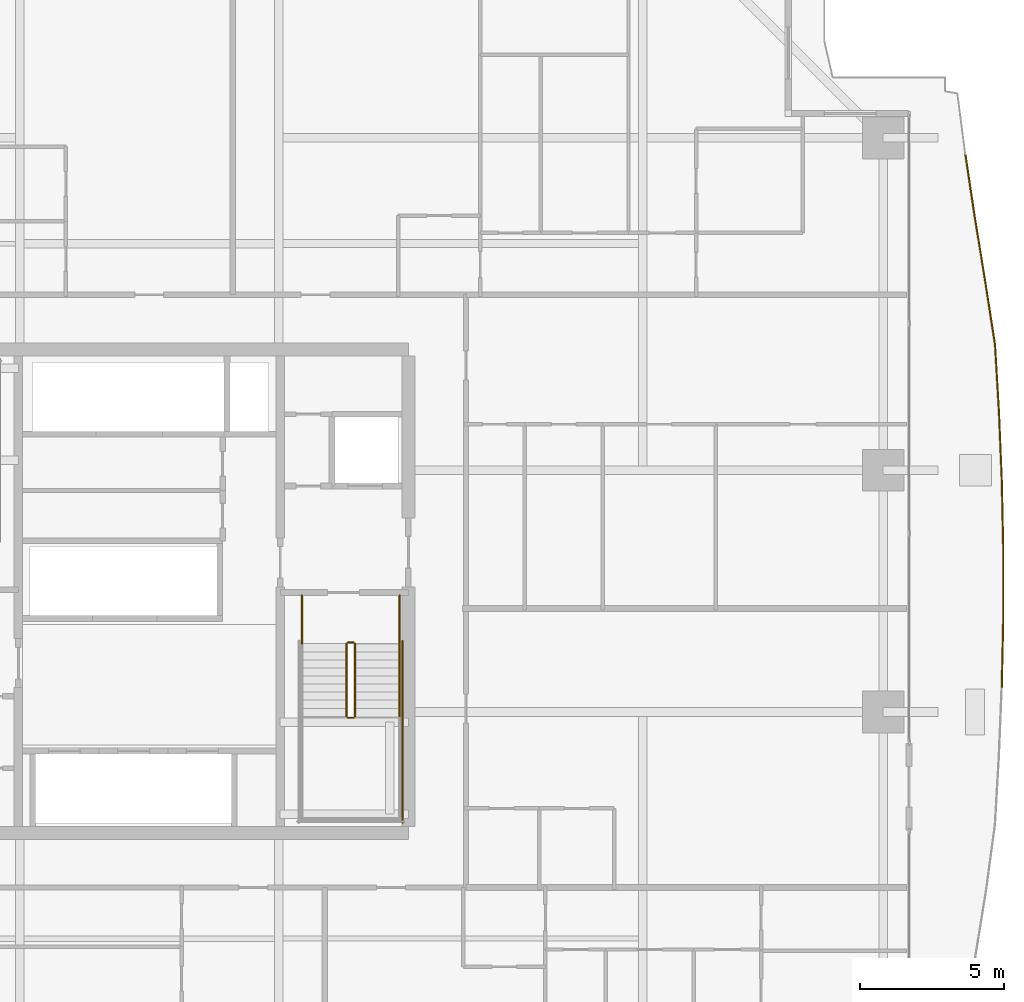
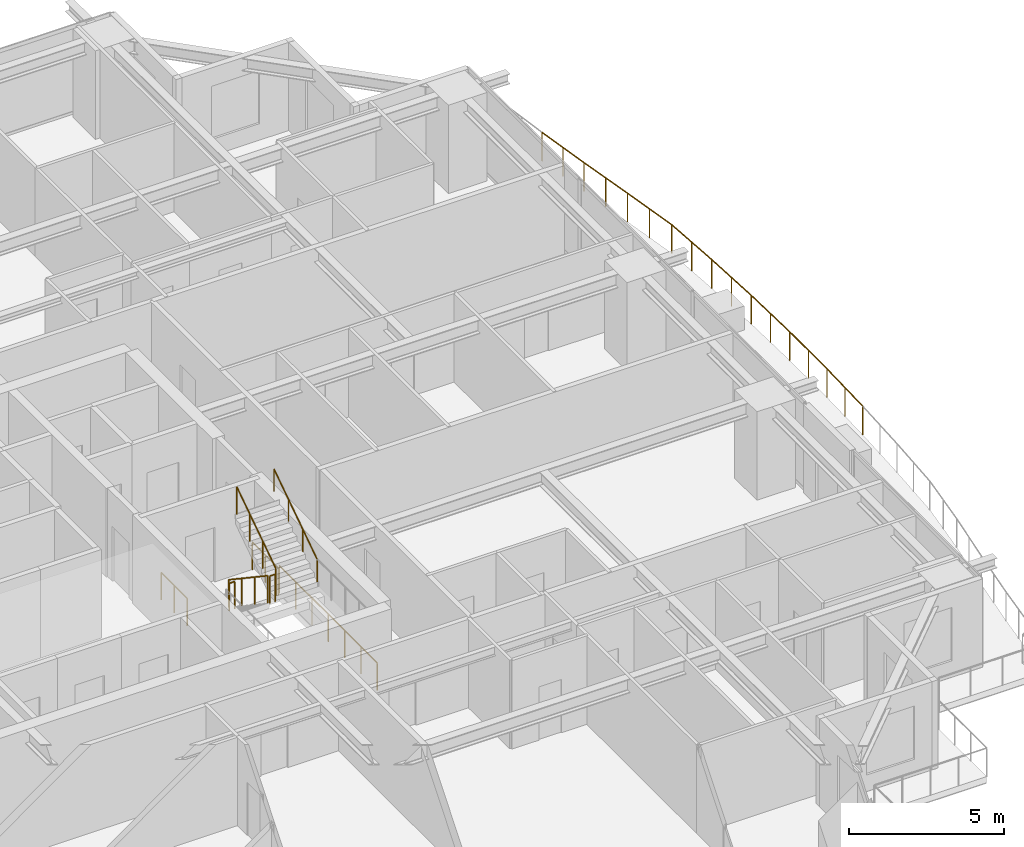
# One storey, part 37 of 38: 9 railings.
"""IFC4 building model written with IfcOpenShell, lengths in metres."""

from ifc_helpers import new_model, si_unit, direction, frame, origin, origin_2d, place, context, subcontext, project, spatial, circle, extrude, material, type_object, element, save


model = new_model("IFC4")

# Units and contexts
model_context = context("Model", 3, precision=1e-05, world=origin(), true_north=direction((0.0, 1.0)))
body_context = subcontext(model_context, "Body", "Model", "MODEL_VIEW")
ifc_project = project(units=[si_unit("LENGTHUNIT", "METRE"), si_unit("AREAUNIT", "SQUARE_METRE"), si_unit("VOLUMEUNIT", "CUBIC_METRE"), si_unit("PLANEANGLEUNIT", "RADIAN"), si_unit("MASSUNIT", "GRAM", prefix="KILO")], contexts=[model_context])

# Site, building, storey
site_placement = place(None, origin())
site = spatial("IfcSite", under=ifc_project, at=site_placement, CompositionType="ELEMENT")
building_placement = place(site_placement, origin())
building = spatial("IfcBuilding", under=site, at=building_placement, Name="Serunith Strait Residences", CompositionType="ELEMENT")
storey_placement = place(building_placement, frame((0.0, 0.0, 37.949951171875)))
storey = spatial("IfcBuildingStorey", under=building, at=storey_placement, Name="L08", CompositionType="ELEMENT", Elevation=37.949951171875)

# Railings
ifc_material_1 = material(Name="Stainless Steel & Laminated Glass Balustrade", Category="steel")
railing_type_1 = type_object("IfcRailingType", Name="RLG-BALC-1150", PredefinedType="BALUSTRADE", material=ifc_material_1)
railing_1_placement = place(storey_placement, frame((60.758544921875, 40.372802734375, -0.050048828125)))
element("IfcRailing", 1, at=railing_1_placement, inside=storey, type_object=railing_type_1, Name="L08 Swirling Balcony Perimeter Balustrade 5", PredefinedType="BALUSTRADE", context=body_context, shape_type="SweptSolid", body=[
    extrude(circle(Radius=0.02392578125, at=origin_2d()), frame((0.000244140625, -0.001953125, 1.1259765625), z_axis=(0.147945831213, -0.988995465625, 0.0), x_axis=(0.988995465625, 0.147945831213, 0.0)), (0.0, 0.0, 1.0), 2.17431640625),
    extrude(circle(Radius=0.02392578125, at=origin_2d()), frame((0.322509765625, -2.15625, 1.1259765625), z_axis=(0.160496406928, -0.987036424537, 0.0), x_axis=(0.987036424537, 0.160496406928, 0.0)), (0.0, 0.0, 1.0), 2.218505859375),
    extrude(circle(Radius=0.02392578125, at=origin_2d()), frame((0.67919921875, -4.349853515625, 1.1259765625), z_axis=(0.153295876879, -0.988180334824, 0.0), x_axis=(0.988180334824, 0.153295876879, 0.0)), (0.0, 0.0, 1.0), 2.276611328125),
    extrude(circle(Radius=0.02392578125, at=origin_2d()), frame((1.028564453125, -6.603515625, 1.1259765625), z_axis=(0.058582471321, -0.998282572248, 0.0), x_axis=(0.998282572248, 0.058582471321, 0.0)), (0.0, 0.0, 1.0), 2.354736328125),
    extrude(circle(Radius=0.02392578125, at=origin_2d()), frame((1.166748046875, -8.958251953125, 1.1259765625), z_axis=(0.041260049386, -0.999148441586, 0.0), x_axis=(0.999148441586, 0.041260049386, 0.0)), (0.0, 0.0, 1.0), 2.380615234375),
    extrude(circle(Radius=0.02392578125, at=origin_2d()), frame((1.26513671875, -11.3408203125, 1.1259765625), z_axis=(0.021044758659, -0.999778534543, 0.0), x_axis=(0.999778534543, 0.021044758659, 0.0)), (0.0, 0.0, 1.0), 2.3974609375),
    extrude(circle(Radius=0.02392578125, at=origin_2d()), frame((1.315673828125, -13.74169921875, 1.1259765625), z_axis=(-0.000304259621, -0.999999953713, 0.0), x_axis=(0.999999953713, -0.000304259621, 0.0)), (0.0, 0.0, 1.0), 2.4033203125),
    extrude(circle(Radius=0.02392578125, at=origin_2d()), frame((1.31494140625, -16.14892578125, 1.1259765625), z_axis=(-0.021548472407, -0.999767804711, 0.0), x_axis=(0.999767804711, -0.021548472407, 0.0)), (0.0, 0.0, 1.0), 2.39794921875),
    extrude(circle(Radius=0.02099609375, at=origin_2d()), origin(), (0.0, 0.0, 1.0), 1.099853515625),
    extrude(circle(Radius=0.02099609375, at=origin_2d()), frame((0.1611328125, -1.0771484375, 0.0)), (0.0, 0.0, 1.0), 1.099853515625),
    extrude(circle(Radius=0.02099609375, at=origin_2d()), frame((0.322265625, -2.154296875, 0.0)), (0.0, 0.0, 1.0), 1.099853515625),
    extrude(circle(Radius=0.02099609375, at=origin_2d()), frame((0.50048828125, -3.2509765625, 0.0)), (0.0, 0.0, 1.0), 1.099853515625),
    extrude(circle(Radius=0.02099609375, at=origin_2d()), frame((0.678955078125, -4.347900390625, 0.0)), (0.0, 0.0, 1.0), 1.099853515625),
    extrude(circle(Radius=0.02099609375, at=origin_2d()), frame((0.853759765625, -5.474609375, 0.0)), (0.0, 0.0, 1.0), 1.099853515625),
    extrude(circle(Radius=0.02099609375, at=origin_2d()), frame((1.028564453125, -6.6015625, 0.0)), (0.0, 0.0, 1.0), 1.099853515625),
    extrude(circle(Radius=0.02099609375, at=origin_2d()), frame((1.09765625, -7.77880859375, 0.0)), (0.0, 0.0, 1.0), 1.099853515625),
    extrude(circle(Radius=0.02099609375, at=origin_2d()), frame((1.166748046875, -8.956298828125, 0.0)), (0.0, 0.0, 1.0), 1.099853515625),
    extrude(circle(Radius=0.02099609375, at=origin_2d()), frame((1.2158203125, -10.1474609375, 0.0)), (0.0, 0.0, 1.0), 1.099853515625),
    extrude(circle(Radius=0.02099609375, at=origin_2d()), frame((1.26513671875, -11.3388671875, 0.0)), (0.0, 0.0, 1.0), 1.099853515625),
    extrude(circle(Radius=0.02099609375, at=origin_2d()), frame((1.29052734375, -12.539306640625, 0.0)), (0.0, 0.0, 1.0), 1.099853515625),
    extrude(circle(Radius=0.02099609375, at=origin_2d()), frame((1.315673828125, -13.73974609375, 0.0)), (0.0, 0.0, 1.0), 1.099853515625),
    extrude(circle(Radius=0.02099609375, at=origin_2d()), frame((1.3154296875, -14.943359375, 0.0)), (0.0, 0.0, 1.0), 1.099853515625),
    extrude(circle(Radius=0.02099609375, at=origin_2d()), frame((1.31494140625, -16.14697265625, 0.0)), (0.0, 0.0, 1.0), 1.099853515625),
    extrude(circle(Radius=0.02099609375, at=origin_2d()), frame((1.2890625, -17.34765625, 0.0)), (0.0, 0.0, 1.0), 1.099853515625),
    extrude(circle(Radius=0.02099609375, at=origin_2d()), frame((1.26318359375, -18.54833984375, 0.0)), (0.0, 0.0, 1.0), 1.099853515625),
])
ifc_material_2 = material(Name="Brushed stainless steel 316L", Category="steel")
railing_type_2 = type_object("IfcRailingType", Name="RLG-STAIR-GUARD", PredefinedType="BALUSTRADE", material=ifc_material_2)
railing_2_placement = place(storey_placement, frame((39.25, 23.3701171875, 0.1875)))
element("IfcRailing", 2, at=railing_2_placement, inside=storey, type_object=railing_type_2, Name="L08 ST-2 stair guard 1", PredefinedType="BALUSTRADE", context=body_context, shape_type="SweptSolid", body=[
    extrude(circle(Radius=0.02392578125, at=origin_2d()), frame((0.0, -0.001708984375, 1.0771484375), z_axis=(0.0, -0.830909170722, 0.55640807867), x_axis=(1.0, 0.0, 0.0)), (0.0, 0.0, 1.0), 3.02880859375),
    extrude(circle(Radius=0.02099609375, at=origin_2d()), origin(), (0.0, 0.0, 1.0), 1.050048828125),
    extrude(circle(Radius=0.02099609375, at=origin_2d()), frame((0.0, -0.840087890625, 0.5625)), (0.0, 0.0, 1.0), 1.050048828125),
    extrude(circle(Radius=0.02099609375, at=origin_2d()), frame((0.0, -1.679931640625, 1.125)), (0.0, 0.0, 1.0), 1.050048828125),
    extrude(circle(Radius=0.02099609375, at=origin_2d()), frame((0.0, -2.52001953125, 1.6875)), (0.0, 0.0, 1.0), 1.050048828125),
])
railing_3_placement = place(storey_placement, frame((39.300048828125, 20.800048828125, 1.875)))
element("IfcRailing", 3, at=railing_3_placement, inside=storey, type_object=railing_type_2, Name="L08 ST-2 stair guard 2", PredefinedType="BALUSTRADE", context=body_context, shape_type="SweptSolid", body=[
    extrude(circle(Radius=0.02392578125, at=origin_2d()), frame((0.001953125, 0.0, 1.076171875), z_axis=(1.0, 0.0, 0.0), x_axis=(0.0, 1.0, 0.0)), (0.0, 0.0, 1.0), 0.196044921875),
    extrude(circle(Radius=0.02099609375, at=origin_2d()), origin(), (0.0, 0.0, 1.0), 1.050048828125),
    extrude(circle(Radius=0.02099609375, at=origin_2d()), frame((0.199951171875, 0.0, 0.0)), (0.0, 0.0, 1.0), 1.050048828125),
])
railing_4_placement = place(storey_placement, frame((39.550048828125, 20.85009765625, 2.0625)))
element("IfcRailing", 4, at=railing_4_placement, inside=storey, type_object=railing_type_2, Name="L08 ST-2 stair guard 6", PredefinedType="BALUSTRADE", context=body_context, shape_type="SweptSolid", body=[
    extrude(circle(Radius=0.02392578125, at=origin_2d()), frame((0.0, 0.001708984375, 1.0771484375), z_axis=(0.0, 0.830909170722, 0.55640807867), x_axis=(-1.0, 0.0, 0.0)), (0.0, 0.0, 1.0), 3.02880859375),
    extrude(circle(Radius=0.02099609375, at=origin_2d()), origin(), (0.0, 0.0, 1.0), 1.050048828125),
    extrude(circle(Radius=0.02099609375, at=origin_2d()), frame((0.0, 0.840087890625, 0.5625)), (0.0, 0.0, 1.0), 1.050048828125),
    extrude(circle(Radius=0.02099609375, at=origin_2d()), frame((0.0, 1.679931640625, 1.125)), (0.0, 0.0, 1.0), 1.050048828125),
    extrude(circle(Radius=0.02099609375, at=origin_2d()), frame((0.0, 2.52001953125, 1.6875)), (0.0, 0.0, 1.0), 1.050048828125),
])
railing_5_placement = place(storey_placement, frame((39.300048828125, 23.419921875, 0.0)))
element("IfcRailing", 5, at=railing_5_placement, inside=storey, type_object=railing_type_2, Name="L08 ST-2 stair guard 7", PredefinedType="BALUSTRADE", context=body_context, shape_type="SweptSolid", body=[
    extrude(circle(Radius=0.02392578125, at=origin_2d()), frame((0.001953125, 0.0, 1.076171875), z_axis=(1.0, 0.0, 0.0), x_axis=(0.0, 1.0, 0.0)), (0.0, 0.0, 1.0), 0.196044921875),
    extrude(circle(Radius=0.02099609375, at=origin_2d()), origin(), (0.0, 0.0, 1.0), 1.050048828125),
    extrude(circle(Radius=0.02099609375, at=origin_2d()), frame((0.199951171875, 0.0, 0.0)), (0.0, 0.0, 1.0), 1.050048828125),
])
for number, where, name in (
    (6, (37.699951171875, 25.050048828125, 0.0), "L08 ST-2 stair guard 8"),
    (7, (41.10009765625, 25.050048828125, 0.0), "L08 ST-2 stair guard 9"),
):
    element("IfcRailing", number, at=place(storey_placement, frame(where)), inside=storey, type_object=railing_type_2, Name=name, PredefinedType="BALUSTRADE", context=body_context, shape_type="SweptSolid", body=[
        extrude(circle(Radius=0.02392578125, at=origin_2d()), frame((0.0, -0.001953125, 1.076171875), z_axis=(0.0, -1.0, 0.0), x_axis=(1.0, 0.0, 0.0)), (0.0, 0.0, 1.0), 1.676025390625),
        extrude(circle(Radius=0.02099609375, at=origin_2d()), origin(), (0.0, 0.0, 1.0), 1.050048828125),
        extrude(circle(Radius=0.02099609375, at=origin_2d()), frame((0.0, -0.83984375, 0.0)), (0.0, 0.0, 1.0), 1.050048828125),
        extrude(circle(Radius=0.02099609375, at=origin_2d()), frame((0.0, -1.679931640625, 0.0)), (0.0, 0.0, 1.0), 1.050048828125),
    ])
railing_6_placement = place(storey_placement, frame((41.199951171875, 23.469970703125, 0.0)))
element("IfcRailing", 8, at=railing_6_placement, inside=storey, type_object=railing_type_2, Name="L08 ST-2 stair guard 11", PredefinedType="BALUSTRADE", context=body_context, shape_type="SweptSolid", body=[
    extrude(circle(Radius=0.02392578125, at=origin_2d()), frame((0.0, -0.001953125, 1.076171875), z_axis=(0.0, -1.0, 0.0), x_axis=(1.0, 0.0, 0.0)), (0.0, 0.0, 1.0), 6.316162109375),
    extrude(circle(Radius=0.02099609375, at=origin_2d()), origin(), (0.0, 0.0, 1.0), 1.050048828125),
    extrude(circle(Radius=0.02099609375, at=origin_2d()), frame((0.0, -1.05322265625, 0.0)), (0.0, 0.0, 1.0), 1.050048828125),
    extrude(circle(Radius=0.02099609375, at=origin_2d()), frame((0.0, -2.106689453125, 0.0)), (0.0, 0.0, 1.0), 1.050048828125),
    extrude(circle(Radius=0.02099609375, at=origin_2d()), frame((0.0, -3.16015625, 0.0)), (0.0, 0.0, 1.0), 1.050048828125),
    extrude(circle(Radius=0.02099609375, at=origin_2d()), frame((0.0, -4.21337890625, 0.0)), (0.0, 0.0, 1.0), 1.050048828125),
    extrude(circle(Radius=0.02099609375, at=origin_2d()), frame((0.0, -5.2666015625, 0.0)), (0.0, 0.0, 1.0), 1.050048828125),
    extrude(circle(Radius=0.02099609375, at=origin_2d()), frame((0.0, -6.320068359375, 0.0)), (0.0, 0.0, 1.0), 1.050048828125),
])
railing_type_3 = type_object("IfcRailingType", Name="RLG-STAIR-HR", PredefinedType="HANDRAIL", material=ifc_material_2)
railing_7_placement = place(storey_placement, frame((41.10009765625, 20.85009765625, 2.0625)))
element("IfcRailing", 9, at=railing_7_placement, inside=storey, type_object=railing_type_3, Name="L08 ST-2 stair handrail 2", PredefinedType="HANDRAIL", context=body_context, shape_type="SweptSolid", body=[
    extrude(circle(Radius=0.02392578125, at=origin_2d()), frame((0.0, 0.001708984375, 0.876953125), z_axis=(0.0, 0.830185712471, 0.557486935101), x_axis=(-1.0, 0.0, 0.0)), (0.0, 0.0, 1.0), 3.368408203125),
    extrude(circle(Radius=0.02099609375, at=origin_2d()), origin(), (0.0, 0.0, 1.0), 0.849853515625),
    extrude(circle(Radius=0.02099609375, at=origin_2d()), frame((0.0, 0.933349609375, 0.626708984375)), (0.0, 0.0, 1.0), 0.849853515625),
    extrude(circle(Radius=0.02099609375, at=origin_2d()), frame((0.0, 1.866455078125, 1.25341796875)), (0.0, 0.0, 1.0), 0.849853515625),
    extrude(circle(Radius=0.02099609375, at=origin_2d()), frame((0.0, 2.7998046875, 1.880126953125)), (0.0, 0.0, 1.0), 0.849853515625),
])

save(model, "model.ifc")
